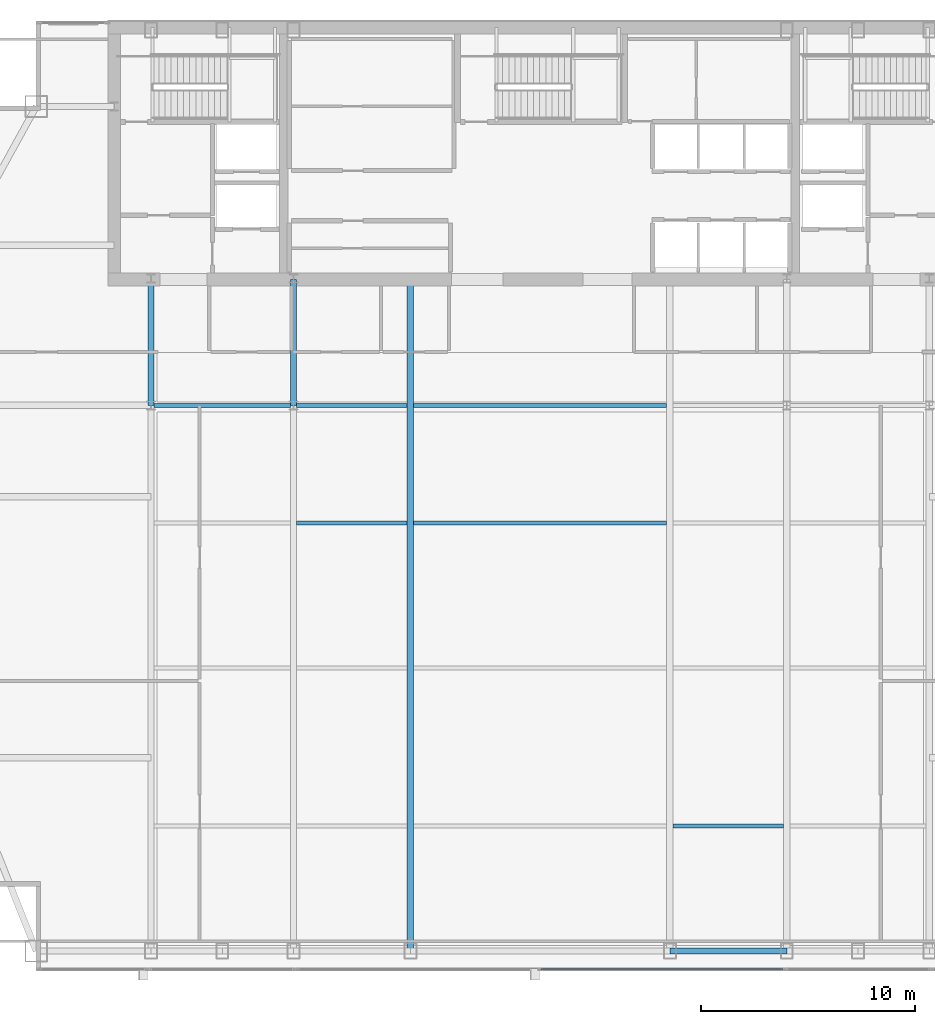
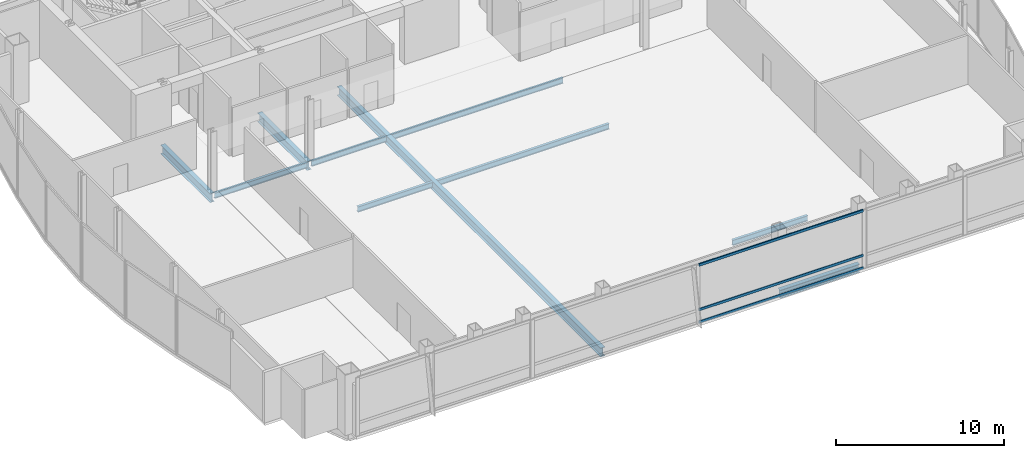
# One storey, part 13 of 28: 10 beams, 3 members, 1 element without a shape of its own.
"""IFC4 building model written with IfcOpenShell, lengths in metres."""

from ifc_helpers import new_model, si_unit, direction, frame, origin, origin_2d, place, context, subcontext, project, spatial, hollow_rectangle, i_section, extrude, material, material_profile, profile_set, type_object, element, aggregate, save


model = new_model("IFC4")

# Units and contexts
model_context = context("Model", 3, precision=1e-05, world=origin(), true_north=direction((0.0, 1.0)))
body_context = subcontext(model_context, "Body", "Model", "MODEL_VIEW")
ifc_project = project(units=[si_unit("LENGTHUNIT", "METRE"), si_unit("AREAUNIT", "SQUARE_METRE"), si_unit("VOLUMEUNIT", "CUBIC_METRE"), si_unit("PLANEANGLEUNIT", "RADIAN"), si_unit("MASSUNIT", "GRAM", prefix="KILO")], contexts=[model_context])

# Site, building, storey
site_placement = place(None, origin())
site = spatial("IfcSite", under=ifc_project, at=site_placement, CompositionType="ELEMENT")
building_placement = place(site_placement, origin())
building = spatial("IfcBuilding", under=site, at=building_placement, Name="Khoronbel Lancet Exchange", CompositionType="ELEMENT")
storey_placement = place(building_placement, frame((0.0, 0.0, 265.39990234375)))
storey = spatial("IfcBuildingStorey", under=building, at=storey_placement, Name="L68", CompositionType="ELEMENT", Elevation=265.39990234375)

# Beams
ifc_material_1 = material(Name="Steel S355", Category="steel")
ifc_material_profile_1 = material_profile(ifc_material_1, i_section(OverallWidth=0.300048828125, OverallDepth=0.64990234375, WebThickness=0.01611328125, FlangeThickness=0.031005859375, at=origin_2d()), Name="HEB 650")
ifc_profile_set_1 = profile_set([ifc_material_profile_1], Name="Steel S355")
beam_type_1 = type_object("IfcBeamType", Name="BM-BG4", PredefinedType="BEAM", material=ifc_profile_set_1)
for number, where, z_axis, x_axis, name in (
    (1, (18.22509765625, 35.699951171875, -0.52490234375), (0.0, 1.0, 0.0), (-1.0, 0.0, 0.0), "Level L68 spine tie girder GN1"),
    (2, (24.89990234375, 35.699951171875, -0.52490234375), (0.0, 1.0, 0.0), (-1.0, 0.0, 0.0), "Level L68 spine tie girder GN2"),
):
    element("IfcBeam", number, at=place(storey_placement, frame(where, z_axis=z_axis, x_axis=x_axis)), inside=storey, type_object=beam_type_1, Name=name, PredefinedType="BEAM", context=body_context, shape_type="SweptSolid", body=[
        extrude(i_section(OverallWidth=0.300048828125, OverallDepth=0.64990234375, WebThickness=0.01611328125, FlangeThickness=0.031005859375, at=origin_2d()), origin(), (0.0, 0.0, 1.0), 5.900146484375),
    ])
beam_1_placement = place(storey_placement, frame((30.375, 10.14990234375, -0.52490234375), z_axis=(0.0, 1.0, 0.0), x_axis=(-1.0, 0.0, 0.0)))
element("IfcBeam", 3, at=beam_1_placement, inside=storey, type_object=beam_type_1, Name="Level L68 primary floor girder G3", PredefinedType="BEAM", context=body_context, shape_type="SweptSolid", body=[
    extrude(i_section(OverallWidth=0.300048828125, OverallDepth=0.64990234375, WebThickness=0.01611328125, FlangeThickness=0.031005859375, at=origin_2d()), origin(), (0.0, 0.0, 1.0), 31.4501953125),
])
ifc_material_profile_2 = material_profile(ifc_material_1, i_section(OverallWidth=0.179931640625, OverallDepth=0.39990234375, WebThickness=0.008544921875, FlangeThickness=0.013427734375, at=origin_2d()), Name="IPE 400")
ifc_profile_set_2 = profile_set([ifc_material_profile_2], Name="Steel S355")
beam_type_2 = type_object("IfcBeamType", Name="BM-BJ5", PredefinedType="JOIST", material=ifc_profile_set_2)
for number, where, z_axis, x_axis, name in (
    (4, (42.675048828125, 16.0, -0.39990234375), (1.0, 0.0, 0.0), (0.0, 1.0, 0.0), "Level L68 secondary composite joist J04"),
    (5, (25.050048828125, 30.199951171875, -0.39990234375), (1.0, 0.0, 0.0), (0.0, 1.0, 0.0), "Level L68 secondary composite joist J12"),
):
    element("IfcBeam", number, at=place(storey_placement, frame(where, z_axis=z_axis, x_axis=x_axis)), inside=storey, type_object=beam_type_2, Name=name, PredefinedType="JOIST", context=body_context, shape_type="SweptSolid", body=[
        extrude(i_section(OverallWidth=0.179931640625, OverallDepth=0.39990234375, WebThickness=0.008544921875, FlangeThickness=0.013427734375, at=origin_2d()), origin(), (0.0, 0.0, 1.0), 5.175048828125),
    ])
beam_2_placement = place(storey_placement, frame((30.52490234375, 30.199951171875, -0.39990234375), z_axis=(1.0, 0.0, 0.0), x_axis=(0.0, 1.0, 0.0)))
element("IfcBeam", 6, at=beam_2_placement, inside=storey, type_object=beam_type_2, Name="Level L68 secondary composite joist J13", PredefinedType="JOIST", context=body_context, shape_type="SweptSolid", body=[
    extrude(i_section(OverallWidth=0.179931640625, OverallDepth=0.39990234375, WebThickness=0.008544921875, FlangeThickness=0.013427734375, at=origin_2d()), origin(), (0.0, 0.0, 1.0), 11.85009765625),
])
beam_3_placement = place(storey_placement, frame((18.375, 35.699951171875, -0.39990234375), z_axis=(1.0, 0.0, 0.0), x_axis=(0.0, 1.0, 0.0)))
element("IfcBeam", 7, at=beam_3_placement, inside=storey, type_object=beam_type_2, Name="Level L68 secondary composite joist J16", PredefinedType="JOIST", context=body_context, shape_type="SweptSolid", body=[
    extrude(i_section(OverallWidth=0.179931640625, OverallDepth=0.39990234375, WebThickness=0.008544921875, FlangeThickness=0.013427734375, at=origin_2d()), origin(), (0.0, 0.0, 1.0), 6.375),
])
beam_4_placement = place(storey_placement, frame((25.050048828125, 35.699951171875, -0.39990234375), z_axis=(1.0, 0.0, 0.0), x_axis=(0.0, 1.0, 0.0)))
element("IfcBeam", 8, at=beam_4_placement, inside=storey, type_object=beam_type_2, Name="Level L68 secondary composite joist J17", PredefinedType="JOIST", context=body_context, shape_type="SweptSolid", body=[
    extrude(i_section(OverallWidth=0.179931640625, OverallDepth=0.39990234375, WebThickness=0.008544921875, FlangeThickness=0.013427734375, at=origin_2d()), origin(), (0.0, 0.0, 1.0), 5.175048828125),
])
beam_5_placement = place(storey_placement, frame((30.52490234375, 35.699951171875, -0.39990234375), z_axis=(1.0, 0.0, 0.0), x_axis=(0.0, 1.0, 0.0)))
element("IfcBeam", 9, at=beam_5_placement, inside=storey, type_object=beam_type_2, Name="Level L68 secondary composite joist J18", PredefinedType="JOIST", context=body_context, shape_type="SweptSolid", body=[
    extrude(i_section(OverallWidth=0.179931640625, OverallDepth=0.39990234375, WebThickness=0.008544921875, FlangeThickness=0.013427734375, at=origin_2d()), origin(), (0.0, 0.0, 1.0), 11.85009765625),
])
ifc_material_profile_3 = material_profile(ifc_material_1, i_section(OverallWidth=0.300048828125, OverallDepth=0.60009765625, WebThickness=0.015380859375, FlangeThickness=0.030029296875, at=origin_2d()), Name="HEB 600")
ifc_profile_set_3 = profile_set([ifc_material_profile_3], Name="Steel S355")
beam_type_3 = type_object("IfcBeamType", Name="BM-BSP2", PredefinedType="SPANDREL", material=ifc_profile_set_3)
beam_6_placement = place(storey_placement, frame((42.52490234375, 10.14990234375, -0.5), z_axis=(1.0, 0.0, 0.0), x_axis=(0.0, 1.0, 0.0)))
element("IfcBeam", 10, at=beam_6_placement, inside=storey, type_object=beam_type_3, Name="Level L68 perimeter spandrel beam SP06", PredefinedType="SPANDREL", context=body_context, shape_type="SweptSolid", body=[
    extrude(i_section(OverallWidth=0.300048828125, OverallDepth=0.60009765625, WebThickness=0.015380859375, FlangeThickness=0.030029296875, at=origin_2d()), origin(), (0.0, 0.0, 1.0), 5.47509765625),
])

# Curtain wall, members
ifc_material_2 = material(Name="Low-E Solar Control Insulating Glass", Category="glass")
curtain_wall_type = type_object("IfcCurtainWallType", Name="CW-3", PredefinedType="NOTDEFINED", material=ifc_material_2)
curtain_wall_placement = place(storey_placement, origin())
curtain_wall = element("IfcCurtainWall", 11, at=curtain_wall_placement, inside=storey, type_object=curtain_wall_type, Name="Unitised curtain wall CW-L68-SCV", PredefinedType="NOTDEFINED")
ifc_material_3 = material(Name="Bronze-Anodised Aluminium 6063-T6", Category="aluminium")
ifc_material_profile_4 = material_profile(ifc_material_3, hollow_rectangle(XDim=0.0849609375, YDim=0.179931640625, WallThickness=0.0048828125, at=origin_2d()), Name="ALU TRANSOM 85x180")
ifc_profile_set_4 = profile_set([ifc_material_profile_4], Name="Bronze-Anodised Aluminium 6063-T6")
member_type = type_object("IfcMemberType", Name="MEM-CWT1", PredefinedType="USERDEFINED", material=ifc_profile_set_4)
member_1_placement = place(storey_placement, frame((36.492431640625, 9.2900390625, 0.04248046875), z_axis=(1.0, 0.0, 0.0), x_axis=(0.0, 1.0, 0.0)))
member_1 = element("IfcMember", 12, at=member_1_placement, type_object=member_type, Name="CW3 transom 2.1", ObjectType="TRANSOM", PredefinedType="USERDEFINED", context=body_context, shape_type="SweptSolid", body=[
    extrude(hollow_rectangle(XDim=0.0849609375, YDim=0.179931640625, WallThickness=0.0048828125, at=origin_2d()), origin(), (0.0, 0.0, 1.0), 11.322509765625),
])
member_2_placement = place(storey_placement, frame((36.492431640625, 9.2900390625, 0.9501953125), z_axis=(1.0, 0.0, 0.0), x_axis=(0.0, 1.0, 0.0)))
member_2 = element("IfcMember", 13, at=member_2_placement, type_object=member_type, Name="CW3 transom 2.2", ObjectType="TRANSOM", PredefinedType="USERDEFINED", context=body_context, shape_type="SweptSolid", body=[
    extrude(hollow_rectangle(XDim=0.0849609375, YDim=0.179931640625, WallThickness=0.0048828125, at=origin_2d()), origin(), (0.0, 0.0, 1.0), 11.322509765625),
])
member_3_placement = place(storey_placement, frame((36.492431640625, 9.2900390625, 4.197509765625), z_axis=(1.0, 0.0, 0.0), x_axis=(0.0, 1.0, 0.0)))
member_3 = element("IfcMember", 14, at=member_3_placement, type_object=member_type, Name="CW3 transom 2.3", ObjectType="TRANSOM", PredefinedType="USERDEFINED", context=body_context, shape_type="SweptSolid", body=[
    extrude(hollow_rectangle(XDim=0.0849609375, YDim=0.179931640625, WallThickness=0.0048828125, at=origin_2d()), origin(), (0.0, 0.0, 1.0), 11.322509765625),
])
aggregate(curtain_wall, [member_1, member_2, member_3])

save(model, "model.ifc")
